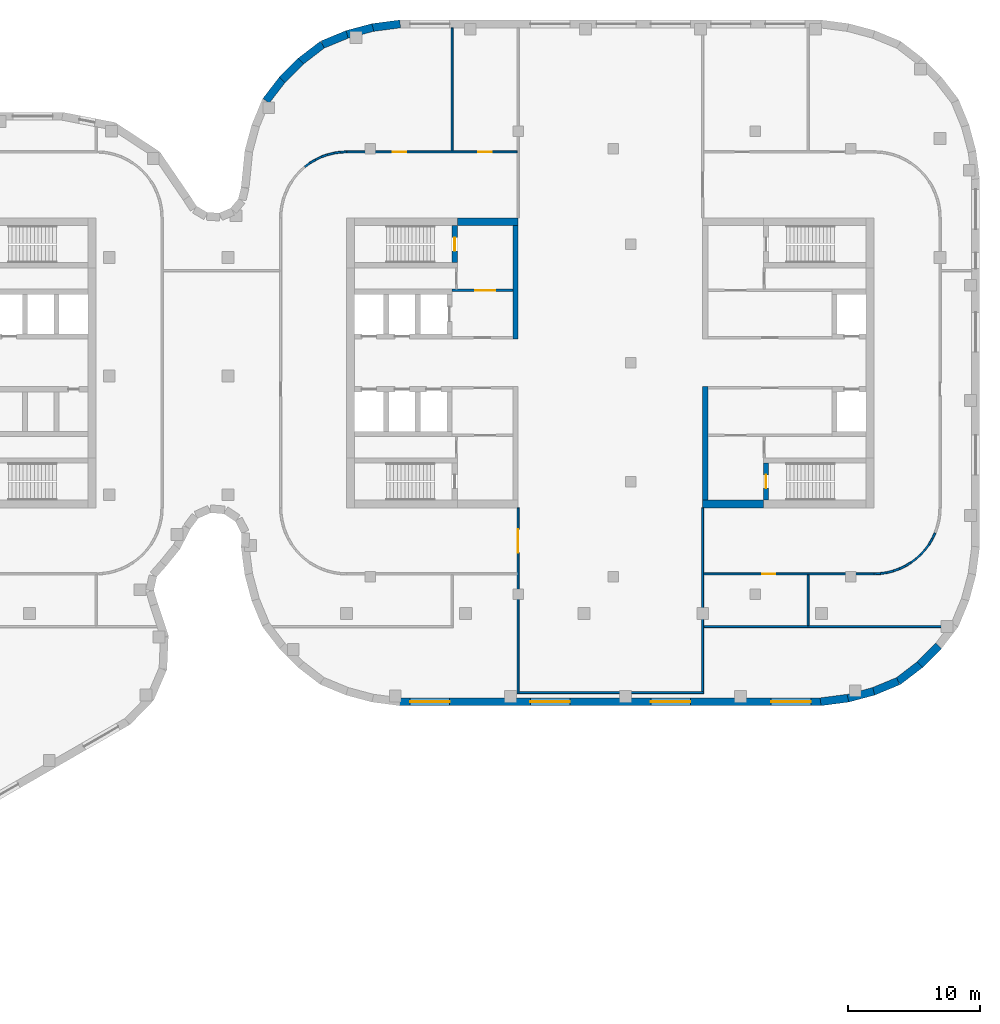
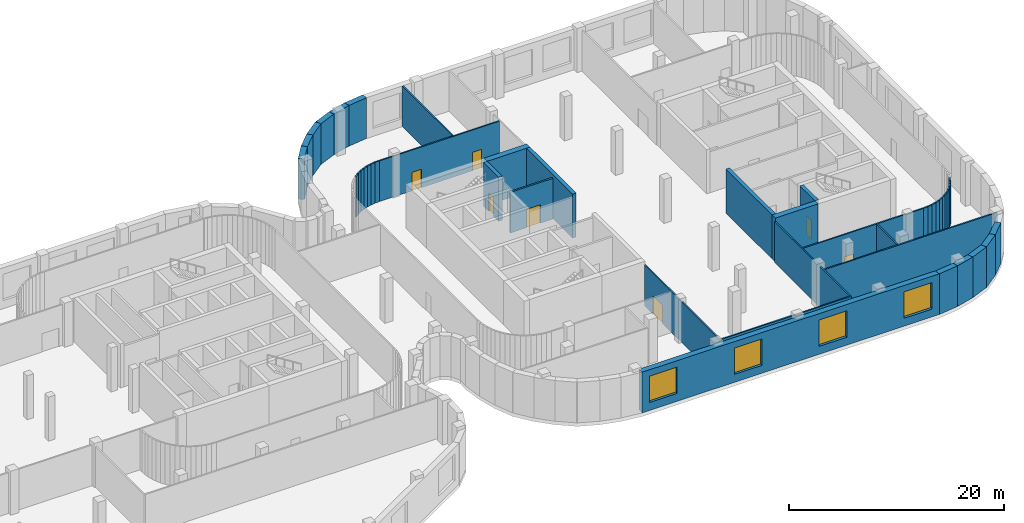
# One storey, part 13 of 18: 46 walls, 7 doors, 4 windows, 11 openings.
"""IFC4 building model written with IfcOpenShell, lengths in metres."""

from ifc_helpers import new_model, si_unit, direction, frame, frame_2d, origin, place, context, subcontext, project, spatial, rectangle, extrude, material, layer, layer_set, type_object, element, fill, save


model = new_model("IFC4")

# Units and contexts
model_context = context("Model", 3, precision=1e-05, world=origin(), true_north=direction((0.0, 1.0)))
body_context = subcontext(model_context, "Body", "Model", "MODEL_VIEW")
ifc_project = project(units=[si_unit("LENGTHUNIT", "METRE"), si_unit("AREAUNIT", "SQUARE_METRE"), si_unit("VOLUMEUNIT", "CUBIC_METRE"), si_unit("PLANEANGLEUNIT", "RADIAN"), si_unit("MASSUNIT", "GRAM", prefix="KILO")], contexts=[model_context])

# Site, building, storey
site_placement = place(None, origin())
site = spatial("IfcSite", under=ifc_project, at=site_placement, CompositionType="ELEMENT")
building_placement = place(site_placement, origin())
building = spatial("IfcBuilding", under=site, at=building_placement, Name="Skarvind Civic Tower", CompositionType="ELEMENT")
storey_placement = place(building_placement, frame((0.0, 0.0, 22.5)))
storey = spatial("IfcBuildingStorey", under=building, at=storey_placement, Name="L04", CompositionType="ELEMENT", Elevation=22.5)

# Wall, opening, door
ifc_material_1 = material(Name="Fire-rated masonry partition", Category="masonry")
ifc_layer_1 = layer(ifc_material_1, 0.199951171875)
ifc_layer_set_1 = layer_set([ifc_layer_1], Name="Core enclosure wall 200")
wall_type_1 = type_object("IfcWallType", Name="Core enclosure wall 200", PredefinedType="PARTITIONING", material=ifc_layer_set_1)
wall_1_placement = place(storey_placement, frame((135.0, 133.5, 0.0), z_axis=(0.0, 0.0, 1.0), x_axis=(1.0, 0.0, 0.0)))
wall_1 = element("IfcWall", 1, at=wall_1_placement, inside=storey, type_object=wall_type_1, Name="Core wall CA", PredefinedType="PARTITIONING", context=body_context, shape_type="SweptSolid", body=[
    extrude(rectangle(XDim=4.60009765625, YDim=0.199951171875, at=frame_2d((2.300048828125, 0.0))), origin(), (0.0, 0.0, 1.0), 4.625),
])
opening_1_placement = place(wall_1_placement, frame((1.75, 0.0, 0.0)))
opening_1 = element("IfcOpeningElement", 2, at=opening_1_placement, cuts=wall_1, Name="Opening D-L04-CA-07", PredefinedType="OPENING", context=body_context, shape_type="SweptSolid", body=[
    extrude(rectangle(XDim=1.5, YDim=2.10009765625, at=frame_2d((0.75, 1.050048828125))), frame((0.0, 0.10986328125, 0.0), z_axis=(0.0, -1.0, 0.0), x_axis=(1.0, 0.0, 0.0)), (0.0, 0.0, 1.0), 0.219970703125),
])
ifc_material_2 = material(Name="Fire-rated steel door", Category="steel")
door_type_1 = type_object("IfcDoorType", Name="Fire door 1500", OperationType="NOTDEFINED", PredefinedType="DOOR", material=ifc_material_2)
door_1_placement = place(opening_1_placement, origin())
door_1 = element("IfcDoor", 3, at=door_1_placement, inside=storey, type_object=door_type_1, Name="Fire door", OperationType="DOUBLE_DOOR_SINGLE_SWING", OverallHeight=2.10009765625, OverallWidth=1.5, PredefinedType="DOOR", context=body_context, shape_type="SweptSolid", body=[
    extrude(rectangle(XDim=1.5, YDim=2.10009765625, at=frame_2d((0.75, 1.050048828125))), frame((0.0, 0.02490234375, 0.0), z_axis=(0.0, -1.0, 0.0), x_axis=(1.0, 0.0, 0.0)), (0.0, 0.0, 1.0), 0.050048828125),
])
fill(opening_1, door_1)

ifc_material_3 = material(Name="Concrete C80", Category="concrete")
ifc_layer_2 = layer(ifc_material_3, 0.39990234375)
ifc_layer_set_2 = layer_set([ifc_layer_2], Name="Core wall 400 C80")
wall_type_2 = type_object("IfcWallType", Name="Core wall 400 C80", PredefinedType="SHEAR", material=ifc_layer_set_2)
wall_2_placement = place(storey_placement, frame((135.199951171875, 135.60009765625, 0.0), z_axis=(0.0, 0.0, 1.0), x_axis=(0.0, 1.0, 0.0)))
wall_2 = element("IfcWall", 4, at=wall_2_placement, inside=storey, type_object=wall_type_2, Name="Core wall CA north stair end L04", PredefinedType="SHEAR", context=body_context, shape_type="SweptSolid", body=[
    extrude(rectangle(XDim=2.7998046875, YDim=0.39990234375, at=frame_2d((1.39990234375, 0.0))), origin(), (0.0, 0.0, 1.0), 5.0),
])
opening_2_placement = place(wall_2_placement, frame((0.89990234375, 0.0, 0.0)))
opening_2 = element("IfcOpeningElement", 5, at=opening_2_placement, cuts=wall_2, Name="Opening D-L04-CA-08", PredefinedType="OPENING", context=body_context, shape_type="SweptSolid", body=[
    extrude(rectangle(XDim=1.0, YDim=2.10009765625, at=frame_2d((0.5, 1.050048828125))), frame((0.0, 0.2099609375, 0.0), z_axis=(0.0, -1.0, 0.0), x_axis=(1.0, 0.0, 0.0)), (0.0, 0.0, 1.0), 0.419921875),
])
door_type_2 = type_object("IfcDoorType", Name="Fire door 1000", OperationType="NOTDEFINED", PredefinedType="DOOR", material=ifc_material_2)
door_2_placement = place(opening_2_placement, origin())
door_2 = element("IfcDoor", 6, at=door_2_placement, inside=storey, type_object=door_type_2, Name="Fire door", OperationType="SINGLE_SWING_LEFT", OverallHeight=2.10009765625, OverallWidth=1.0, PredefinedType="DOOR", context=body_context, shape_type="SweptSolid", body=[
    extrude(rectangle(XDim=1.0, YDim=2.10009765625, at=frame_2d((0.5, 1.050048828125))), frame((0.0, 0.02490234375, 0.0), z_axis=(0.0, -1.0, 0.0), x_axis=(1.0, 0.0, 0.0)), (0.0, 0.0, 1.0), 0.050048828125),
])
fill(opening_2, door_2)

# Wall
wall_3_placement = place(storey_placement, frame((139.800048828125, 129.800048828125, 0.0), z_axis=(0.0, 0.0, 1.0), x_axis=(0.0, 1.0, 0.0)))
element("IfcWall", 7, at=wall_3_placement, inside=storey, type_object=wall_type_2, Name="Core wall CA north inner face L04", PredefinedType="SHEAR", context=body_context, shape_type="SweptSolid", body=[
    extrude(rectangle(XDim=8.599853515625, YDim=0.39990234375, at=frame_2d((4.2998046875, 0.0))), origin(), (0.0, 0.0, 1.0), 5.0),
])

# Wall, opening, door
wall_4_placement = place(storey_placement, frame((158.800048828125, 120.39990234375, 0.0), z_axis=(0.0, 0.0, 1.0), x_axis=(0.0, -1.0, 0.0)))
wall_4 = element("IfcWall", 8, at=wall_4_placement, inside=storey, type_object=wall_type_2, Name="Core wall CB north stair end L04", PredefinedType="SHEAR", context=body_context, shape_type="SweptSolid", body=[
    extrude(rectangle(XDim=2.7998046875, YDim=0.39990234375, at=frame_2d((1.39990234375, 0.0))), origin(), (0.0, 0.0, 1.0), 5.0),
])
opening_3_placement = place(wall_4_placement, frame((0.89990234375, 0.0, 0.0)))
opening_3 = element("IfcOpeningElement", 9, at=opening_3_placement, cuts=wall_4, Name="Opening D-L04-CB-05", PredefinedType="OPENING", context=body_context, shape_type="SweptSolid", body=[
    extrude(rectangle(XDim=1.0, YDim=2.10009765625, at=frame_2d((0.5, 1.050048828125))), frame((0.0, 0.2099609375, 0.0), z_axis=(0.0, -1.0, 0.0), x_axis=(1.0, 0.0, 0.0)), (0.0, 0.0, 1.0), 0.419921875),
])
door_3_placement = place(opening_3_placement, origin())
door_3 = element("IfcDoor", 10, at=door_3_placement, inside=storey, type_object=door_type_2, Name="Fire door", OperationType="SINGLE_SWING_LEFT", OverallHeight=2.10009765625, OverallWidth=1.0, PredefinedType="DOOR", context=body_context, shape_type="SweptSolid", body=[
    extrude(rectangle(XDim=1.0, YDim=2.10009765625, at=frame_2d((0.5, 1.050048828125))), frame((0.0, 0.02490234375, 0.0), z_axis=(0.0, -1.0, 0.0), x_axis=(1.0, 0.0, 0.0)), (0.0, 0.0, 1.0), 0.050048828125),
])
fill(opening_3, door_3)

# Walls
wall_5_placement = place(storey_placement, frame((154.199951171875, 126.199951171875, 0.0), z_axis=(0.0, 0.0, 1.0), x_axis=(0.0, -1.0, 0.0)))
element("IfcWall", 11, at=wall_5_placement, inside=storey, type_object=wall_type_2, Name="Core wall CB north inner face L04", PredefinedType="SHEAR", context=body_context, shape_type="SweptSolid", body=[
    extrude(rectangle(XDim=8.599853515625, YDim=0.39990234375, at=frame_2d((4.2998046875, 0.0))), origin(), (0.0, 0.0, 1.0), 5.0),
])
ifc_layer_3 = layer(ifc_material_3, 0.60009765625)
ifc_layer_set_3 = layer_set([ifc_layer_3], Name="Core wall 600 C80")
wall_type_3 = type_object("IfcWallType", Name="Core wall 600 C80", PredefinedType="SHEAR", material=ifc_layer_set_3)
for number, where, z_axis, x_axis, name in (
    (12, (135.39990234375, 138.699951171875, 0.0), (0.0, 0.0, 1.0), (1.0, 0.0, 0.0), "Core wall CA north side L04"),
    (13, (158.60009765625, 117.300048828125, 0.0), (0.0, 0.0, 1.0), (-1.0, 0.0, 0.0), "Core wall CB north side L04"),
):
    element("IfcWall", number, at=place(storey_placement, frame(where, z_axis=z_axis, x_axis=x_axis)), inside=storey, type_object=wall_type_3, Name=name, PredefinedType="SHEAR", context=body_context, shape_type="SweptSolid", body=[
        extrude(rectangle(XDim=4.60009765625, YDim=0.60009765625, at=frame_2d((2.300048828125, 0.0))), origin(), (0.0, 0.0, 1.0), 5.0),
    ])
ifc_material_4 = material(Name="Plasterboard partition on steel studs", Category="steel")
ifc_layer_4 = layer(ifc_material_4, 0.14990234375)
ifc_layer_set_4 = layer_set([ifc_layer_4], Name="PARTITION 150")
wall_type_4 = type_object("IfcWallType", Name="PARTITION 150", PredefinedType="PARTITIONING", material=ifc_layer_set_4)
wall_6_placement = place(storey_placement, frame((123.824951171875, 142.863037109375, 0.0), z_axis=(0.0, 0.0, 1.0), x_axis=(0.80404358372, 0.594570362092, 0.0)))
element("IfcWall", 14, at=wall_6_placement, inside=storey, type_object=wall_type_4, Name="Podium partition L04 223", PredefinedType="PARTITIONING", context=body_context, shape_type="SweptSolid", body=[
    extrude(rectangle(XDim=0.49755859375, YDim=0.14990234375, at=frame_2d((0.248779296875, 0.0))), origin(), (0.0, 0.0, 1.0), 4.625),
])
wall_7_placement = place(storey_placement, frame((124.218994140625, 143.155029296875, 0.0), z_axis=(0.0, 0.0, 1.0), x_axis=(0.85671397893, 0.515791778052, 0.0)))
element("IfcWall", 15, at=wall_7_placement, inside=storey, type_object=wall_type_4, Name="Podium partition L04 225", PredefinedType="PARTITIONING", context=body_context, shape_type="SweptSolid", body=[
    extrude(rectangle(XDim=0.49853515625, YDim=0.14990234375, at=frame_2d((0.249267578125, 0.0))), origin(), (0.0, 0.0, 1.0), 4.625),
])
for number, where, z_axis, x_axis, name in (
    (16, (124.639892578125, 143.407958984375, 0.0), (0.0, 0.0, 1.0), (0.903827641978, 0.427896709028, 0.0), "Podium partition L04 227"),
    (17, (125.083984375, 143.617919921875, 0.0), (0.0, 0.0, 1.0), (0.941442168887, 0.3371744988, 0.0), "Podium partition L04 229"),
):
    element("IfcWall", number, at=place(storey_placement, frame(where, z_axis=z_axis, x_axis=x_axis)), inside=storey, type_object=wall_type_4, Name=name, PredefinedType="PARTITIONING", context=body_context, shape_type="SweptSolid", body=[
        extrude(rectangle(XDim=0.498046875, YDim=0.14990234375, at=frame_2d((0.2490234375, 0.0))), origin(), (0.0, 0.0, 1.0), 4.625),
    ])
wall_8_placement = place(storey_placement, frame((125.544921875, 143.783935546875, 0.0), z_axis=(0.0, 0.0, 1.0), x_axis=(0.970113715952, 0.242650732785, 0.0)))
element("IfcWall", 18, at=wall_8_placement, inside=storey, type_object=wall_type_4, Name="Podium partition L04 231", PredefinedType="PARTITIONING", context=body_context, shape_type="SweptSolid", body=[
    extrude(rectangle(XDim=0.4990234375, YDim=0.14990234375, at=frame_2d((0.24951171875, 0.0))), origin(), (0.0, 0.0, 1.0), 4.625),
])
wall_9_placement = place(storey_placement, frame((126.02099609375, 143.903076171875, 0.0), z_axis=(0.0, 0.0, 1.0), x_axis=(0.988925572052, 0.148412307247, 0.0)))
element("IfcWall", 19, at=wall_9_placement, inside=storey, type_object=wall_type_4, Name="Podium partition L04 233", PredefinedType="PARTITIONING", context=body_context, shape_type="SweptSolid", body=[
    extrude(rectangle(XDim=0.49853515625, YDim=0.14990234375, at=frame_2d((0.249267578125, 0.0))), origin(), (0.0, 0.0, 1.0), 4.625),
])
wall_10_placement = place(storey_placement, frame((126.506103515625, 143.97607421875, 0.0), z_axis=(0.0, 0.0, 1.0), x_axis=(0.998837896651, 0.048196018647, 0.0)))
element("IfcWall", 20, at=wall_10_placement, inside=storey, type_object=wall_type_4, Name="Podium partition L04 235", PredefinedType="PARTITIONING", context=body_context, shape_type="SweptSolid", body=[
    extrude(rectangle(XDim=0.496337890625, YDim=0.14990234375, at=frame_2d((0.248046875, 0.0))), origin(), (0.0, 0.0, 1.0), 4.625),
])

# Wall, openings, doors
wall_11_placement = place(storey_placement, frame((126.998046875, 144.0, 0.0), z_axis=(0.0, 0.0, 1.0), x_axis=(1.0, 0.0, 0.0)))
wall_11 = element("IfcWall", 21, at=wall_11_placement, inside=storey, type_object=wall_type_4, Name="Podium partition L04 237", PredefinedType="PARTITIONING", context=body_context, shape_type="SweptSolid", body=[
    extrude(rectangle(XDim=12.927001953125, YDim=0.14990234375, at=frame_2d((6.46337890625, 0.0))), origin(), (0.0, 0.0, 1.0), 4.625),
])
opening_4_placement = place(wall_11_placement, frame((3.50390625, 0.0, 0.0)))
opening_4 = element("IfcOpeningElement", 22, at=opening_4_placement, cuts=wall_11, Name="Opening L04-D221", PredefinedType="OPENING", context=body_context, shape_type="SweptSolid", body=[
    extrude(rectangle(XDim=1.0, YDim=2.10009765625, at=frame_2d((0.5, 1.050048828125))), frame((0.0, 0.0849609375, 0.0), z_axis=(0.0, -1.0, 0.0), x_axis=(1.0, 0.0, 0.0)), (0.0, 0.0, 1.0), 0.169921875),
])
opening_5_placement = place(wall_11_placement, frame((10.0, 0.0, 0.0)))
opening_5 = element("IfcOpeningElement", 23, at=opening_5_placement, cuts=wall_11, Name="Opening L04-D222", PredefinedType="OPENING", context=body_context, shape_type="SweptSolid", body=[
    extrude(rectangle(XDim=1.0, YDim=2.10009765625, at=frame_2d((0.5, 1.050048828125))), frame((0.0, 0.0849609375, 0.0), z_axis=(0.0, -1.0, 0.0), x_axis=(1.0, 0.0, 0.0)), (0.0, 0.0, 1.0), 0.169921875),
])
ifc_material_5 = material(Name="Timber veneer door leaf", Category="wood")
door_type_3 = type_object("IfcDoorType", Name="DOOR 1000X2100 TIMBER", OperationType="NOTDEFINED", PredefinedType="DOOR", material=ifc_material_5)
door_4_placement = place(opening_4_placement, origin())
door_4 = element("IfcDoor", 24, at=door_4_placement, inside=storey, type_object=door_type_3, Name="DOOR DOOR", OperationType="SINGLE_SWING_LEFT", OverallHeight=2.10009765625, OverallWidth=1.0, PredefinedType="DOOR", context=body_context, shape_type="SweptSolid", body=[
    extrude(rectangle(XDim=1.0, YDim=2.10009765625, at=frame_2d((0.5, 1.050048828125))), frame((0.0, 0.02490234375, 0.0), z_axis=(0.0, -1.0, 0.0), x_axis=(1.0, 0.0, 0.0)), (0.0, 0.0, 1.0), 0.050048828125),
])
fill(opening_4, door_4)
door_5_placement = place(opening_5_placement, origin())
door_5 = element("IfcDoor", 25, at=door_5_placement, inside=storey, type_object=door_type_3, Name="DOOR DOOR", OperationType="SINGLE_SWING_RIGHT", OverallHeight=2.10009765625, OverallWidth=1.0, PredefinedType="DOOR", context=body_context, shape_type="SweptSolid", body=[
    extrude(rectangle(XDim=1.0, YDim=2.10009765625, at=frame_2d((0.5, 1.050048828125))), frame((0.0, 0.02490234375, 0.0), z_axis=(0.0, -1.0, 0.0), x_axis=(1.0, 0.0, 0.0)), (0.0, 0.0, 1.0), 0.050048828125),
])
fill(opening_5, door_5)

# Wall
wall_12_placement = place(storey_placement, frame((135.0, 144.074951171875, 0.0), z_axis=(0.0, 0.0, 1.0), x_axis=(0.0, 1.0, 0.0)))
element("IfcWall", 26, at=wall_12_placement, inside=storey, type_object=wall_type_4, Name="Podium partition L04 239", PredefinedType="PARTITIONING", context=body_context, shape_type="SweptSolid", body=[
    extrude(rectangle(XDim=9.324951171875, YDim=0.14990234375, at=frame_2d((4.66259765625, 0.0))), origin(), (0.0, 0.0, 1.0), 4.625),
])

# Wall, opening, door
wall_13_placement = place(storey_placement, frame((140.0, 102.925048828125, 0.0), z_axis=(0.0, 0.0, 1.0), x_axis=(0.0, 1.0, 0.0)))
wall_13 = element("IfcWall", 27, at=wall_13_placement, inside=storey, type_object=wall_type_4, Name="Podium partition L04 240", PredefinedType="PARTITIONING", context=body_context, shape_type="SweptSolid", body=[
    extrude(rectangle(XDim=14.074951171875, YDim=0.14990234375, at=frame_2d((7.03759765625, 0.0))), origin(), (0.0, 0.0, 1.0), 4.625),
])
opening_6_placement = place(wall_13_placement, frame((10.675048828125, 0.0, 0.0)))
opening_6 = element("IfcOpeningElement", 28, at=opening_6_placement, cuts=wall_13, Name="Opening L04-D223", PredefinedType="OPENING", context=body_context, shape_type="SweptSolid", body=[
    extrude(rectangle(XDim=1.800048828125, YDim=2.10009765625, at=frame_2d((0.89990234375, 1.050048828125))), frame((0.0, 0.0849609375, 0.0), z_axis=(0.0, -1.0, 0.0), x_axis=(1.0, 0.0, 0.0)), (0.0, 0.0, 1.0), 0.169921875),
])
door_type_4 = type_object("IfcDoorType", Name="DOOR 1800X2100 DOUBLE TIMBER", OperationType="NOTDEFINED", PredefinedType="DOOR", material=ifc_material_5)
door_6_placement = place(opening_6_placement, origin())
door_6 = element("IfcDoor", 29, at=door_6_placement, inside=storey, type_object=door_type_4, Name="DOOR DOOR", OperationType="DOUBLE_DOOR_SINGLE_SWING", OverallHeight=2.10009765625, OverallWidth=1.800048828125, PredefinedType="DOOR", context=body_context, shape_type="SweptSolid", body=[
    extrude(rectangle(XDim=1.800048828125, YDim=2.10009765625, at=frame_2d((0.89990234375, 1.050048828125))), frame((0.0, 0.02490234375, 0.0), z_axis=(0.0, -1.0, 0.0), x_axis=(1.0, 0.0, 0.0)), (0.0, 0.0, 1.0), 0.050048828125),
])
fill(opening_6, door_6)

# Walls
wall_14_placement = place(storey_placement, frame((140.074951171875, 103.0, 0.0), z_axis=(0.0, 0.0, 1.0), x_axis=(1.0, 0.0, 0.0)))
element("IfcWall", 30, at=wall_14_placement, inside=storey, type_object=wall_type_4, Name="Podium partition L04 241", PredefinedType="PARTITIONING", context=body_context, shape_type="SweptSolid", body=[
    extrude(rectangle(XDim=14.0, YDim=0.14990234375, at=frame_2d((7.0, 0.0))), origin(), (0.0, 0.0, 1.0), 4.625),
])
wall_15_placement = place(storey_placement, frame((154.0, 103.074951171875, 0.0), z_axis=(0.0, 0.0, 1.0), x_axis=(0.0, 1.0, 0.0)))
element("IfcWall", 31, at=wall_15_placement, inside=storey, type_object=wall_type_4, Name="Podium partition L04 243", PredefinedType="PARTITIONING", context=body_context, shape_type="SweptSolid", body=[
    extrude(rectangle(XDim=13.925048828125, YDim=0.14990234375, at=frame_2d((6.96240234375, 0.0))), origin(), (0.0, 0.0, 1.0), 4.625),
])
wall_16_placement = place(storey_placement, frame((154.074951171875, 108.0, 0.0), z_axis=(0.0, 0.0, 1.0), x_axis=(1.0, 0.0, 0.0)))
element("IfcWall", 32, at=wall_16_placement, inside=storey, type_object=wall_type_4, Name="Podium partition L04 244", PredefinedType="PARTITIONING", context=body_context, shape_type="SweptSolid", body=[
    extrude(rectangle(XDim=18.55712890625, YDim=0.14990234375, at=frame_2d((9.278564453125, 0.0))), origin(), (0.0, 0.0, 1.0), 4.625),
])

# Wall, opening, door
wall_17_placement = place(storey_placement, frame((167.001953125, 112.0, 0.0), z_axis=(0.0, 0.0, 1.0), x_axis=(-1.0, 0.0, 0.0)))
wall_17 = element("IfcWall", 33, at=wall_17_placement, inside=storey, type_object=wall_type_4, Name="Podium partition L04 245", PredefinedType="PARTITIONING", context=body_context, shape_type="SweptSolid", body=[
    extrude(rectangle(XDim=12.927001953125, YDim=0.14990234375, at=frame_2d((6.46337890625, 0.0))), origin(), (0.0, 0.0, 1.0), 4.625),
])
opening_7_placement = place(wall_17_placement, frame((7.5, 0.0, 0.0)))
opening_7 = element("IfcOpeningElement", 34, at=opening_7_placement, cuts=wall_17, Name="Opening L04-D226", PredefinedType="OPENING", context=body_context, shape_type="SweptSolid", body=[
    extrude(rectangle(XDim=1.0, YDim=2.10009765625, at=frame_2d((0.5, 1.050048828125))), frame((0.0, 0.0849609375, 0.0), z_axis=(0.0, -1.0, 0.0), x_axis=(1.0, 0.0, 0.0)), (0.0, 0.0, 1.0), 0.169921875),
])
door_7_placement = place(opening_7_placement, origin())
door_7 = element("IfcDoor", 35, at=door_7_placement, inside=storey, type_object=door_type_3, Name="DOOR DOOR", OperationType="SINGLE_SWING_LEFT", OverallHeight=2.10009765625, OverallWidth=1.0, PredefinedType="DOOR", context=body_context, shape_type="SweptSolid", body=[
    extrude(rectangle(XDim=1.0, YDim=2.10009765625, at=frame_2d((0.5, 1.050048828125))), frame((0.0, 0.02490234375, 0.0), z_axis=(0.0, -1.0, 0.0), x_axis=(1.0, 0.0, 0.0)), (0.0, 0.0, 1.0), 0.050048828125),
])
fill(opening_7, door_7)

# Walls
wall_18_placement = place(storey_placement, frame((162.0, 108.074951171875, 0.0), z_axis=(0.0, 0.0, 1.0), x_axis=(0.0, 1.0, 0.0)))
element("IfcWall", 36, at=wall_18_placement, inside=storey, type_object=wall_type_4, Name="Podium partition L04 248", PredefinedType="PARTITIONING", context=body_context, shape_type="SweptSolid", body=[
    extrude(rectangle(XDim=3.85009765625, YDim=0.14990234375, at=frame_2d((1.925048828125, 0.0))), origin(), (0.0, 0.0, 1.0), 4.625),
])
wall_19_placement = place(storey_placement, frame((166.998046875, 112.0, 0.0), z_axis=(0.0, 0.0, 1.0), x_axis=(0.998837896651, 0.048196018647, 0.0)))
element("IfcWall", 37, at=wall_19_placement, inside=storey, type_object=wall_type_4, Name="Podium partition L04 250", PredefinedType="PARTITIONING", context=body_context, shape_type="SweptSolid", body=[
    extrude(rectangle(XDim=0.496337890625, YDim=0.14990234375, at=frame_2d((0.248046875, 0.0))), origin(), (0.0, 0.0, 1.0), 4.625),
])
wall_20_placement = place(storey_placement, frame((167.486083984375, 112.02294921875, 0.0), z_axis=(0.0, 0.0, 1.0), x_axis=(0.988925572052, 0.148412307247, 0.0)))
element("IfcWall", 38, at=wall_20_placement, inside=storey, type_object=wall_type_4, Name="Podium partition L04 252", PredefinedType="PARTITIONING", context=body_context, shape_type="SweptSolid", body=[
    extrude(rectangle(XDim=0.49853515625, YDim=0.14990234375, at=frame_2d((0.249267578125, 0.0))), origin(), (0.0, 0.0, 1.0), 4.625),
])
wall_21_placement = place(storey_placement, frame((167.970947265625, 112.094970703125, 0.0), z_axis=(0.0, 0.0, 1.0), x_axis=(0.970113715952, 0.242650732785, 0.0)))
element("IfcWall", 39, at=wall_21_placement, inside=storey, type_object=wall_type_4, Name="Podium partition L04 254", PredefinedType="PARTITIONING", context=body_context, shape_type="SweptSolid", body=[
    extrude(rectangle(XDim=0.4990234375, YDim=0.14990234375, at=frame_2d((0.24951171875, 0.0))), origin(), (0.0, 0.0, 1.0), 4.625),
])
for number, where, z_axis, x_axis, name in (
    (40, (168.447021484375, 112.214111328125, 0.0), (0.0, 0.0, 1.0), (0.941442168887, 0.3371744988, 0.0), "Podium partition L04 256"),
    (41, (168.909912109375, 112.37890625, 0.0), (0.0, 0.0, 1.0), (0.903827641978, 0.427896709028, 0.0), "Podium partition L04 258"),
):
    element("IfcWall", number, at=place(storey_placement, frame(where, z_axis=z_axis, x_axis=x_axis)), inside=storey, type_object=wall_type_4, Name=name, PredefinedType="PARTITIONING", context=body_context, shape_type="SweptSolid", body=[
        extrude(rectangle(XDim=0.498046875, YDim=0.14990234375, at=frame_2d((0.2490234375, 0.0))), origin(), (0.0, 0.0, 1.0), 4.625),
    ])
wall_22_placement = place(storey_placement, frame((169.35400390625, 112.587890625, 0.0), z_axis=(0.0, 0.0, 1.0), x_axis=(0.85671397893, 0.515791778052, 0.0)))
element("IfcWall", 42, at=wall_22_placement, inside=storey, type_object=wall_type_4, Name="Podium partition L04 260", PredefinedType="PARTITIONING", context=body_context, shape_type="SweptSolid", body=[
    extrude(rectangle(XDim=0.49853515625, YDim=0.14990234375, at=frame_2d((0.249267578125, 0.0))), origin(), (0.0, 0.0, 1.0), 4.625),
])
wall_23_placement = place(storey_placement, frame((169.77490234375, 112.841064453125, 0.0), z_axis=(0.0, 0.0, 1.0), x_axis=(0.80404358372, 0.594570362092, 0.0)))
element("IfcWall", 43, at=wall_23_placement, inside=storey, type_object=wall_type_4, Name="Podium partition L04 262", PredefinedType="PARTITIONING", context=body_context, shape_type="SweptSolid", body=[
    extrude(rectangle(XDim=0.49755859375, YDim=0.14990234375, at=frame_2d((0.248779296875, 0.0))), origin(), (0.0, 0.0, 1.0), 4.625),
])
for number, where, z_axis, x_axis, name in (
    (44, (170.1689453125, 113.133056640625, 0.0), (0.0, 0.0, 1.0), (0.742416880587, 0.66993818776, 0.0), "Podium partition L04 264"),
    (45, (170.532958984375, 113.4609375, 0.0), (0.0, 0.0, 1.0), (0.66993818776, 0.742416880587, 0.0), "Podium partition L04 266"),
):
    element("IfcWall", number, at=place(storey_placement, frame(where, z_axis=z_axis, x_axis=x_axis)), inside=storey, type_object=wall_type_4, Name=name, PredefinedType="PARTITIONING", context=body_context, shape_type="SweptSolid", body=[
        extrude(rectangle(XDim=0.49853515625, YDim=0.14990234375, at=frame_2d((0.249267578125, 0.0))), origin(), (0.0, 0.0, 1.0), 4.625),
    ])
wall_24_placement = place(storey_placement, frame((170.863037109375, 113.824951171875, 0.0), z_axis=(0.0, 0.0, 1.0), x_axis=(0.594570362092, 0.80404358372, 0.0)))
element("IfcWall", 46, at=wall_24_placement, inside=storey, type_object=wall_type_4, Name="Podium partition L04 268", PredefinedType="PARTITIONING", context=body_context, shape_type="SweptSolid", body=[
    extrude(rectangle(XDim=0.49755859375, YDim=0.14990234375, at=frame_2d((0.248779296875, 0.0))), origin(), (0.0, 0.0, 1.0), 4.625),
])
wall_25_placement = place(storey_placement, frame((171.155029296875, 114.218994140625, 0.0), z_axis=(0.0, 0.0, 1.0), x_axis=(0.515791778052, 0.85671397893, 0.0)))
element("IfcWall", 47, at=wall_25_placement, inside=storey, type_object=wall_type_4, Name="Podium partition L04 270", PredefinedType="PARTITIONING", context=body_context, shape_type="SweptSolid", body=[
    extrude(rectangle(XDim=0.49853515625, YDim=0.14990234375, at=frame_2d((0.249267578125, 0.0))), origin(), (0.0, 0.0, 1.0), 4.625),
])
wall_26_placement = place(storey_placement, frame((171.407958984375, 114.639892578125, 0.0), z_axis=(0.0, 0.0, 1.0), x_axis=(0.427896709028, 0.903827641978, 0.0)))
element("IfcWall", 48, at=wall_26_placement, inside=storey, type_object=wall_type_4, Name="Podium partition L04 272", PredefinedType="PARTITIONING", context=body_context, shape_type="SweptSolid", body=[
    extrude(rectangle(XDim=0.498046875, YDim=0.14990234375, at=frame_2d((0.2490234375, 0.0))), origin(), (0.0, 0.0, 1.0), 4.625),
])

# Wall, openings, windows
ifc_material_6 = material(Name="Limestone masonry cladding on insulated backing", Category="masonry")
ifc_layer_5 = layer(ifc_material_6, 0.60009765625)
ifc_layer_set_5 = layer_set([ifc_layer_5], Name="WX1 STONE FACADE WALL 600")
wall_type_5 = type_object("IfcWallType", Name="WX1 STONE FACADE WALL 600", PredefinedType="SOLIDWALL", material=ifc_layer_set_5)
wall_27_placement = place(storey_placement, frame((162.978271484375, 102.300048828125, 0.0), z_axis=(0.0, 0.0, 1.0), x_axis=(-1.0, 0.0, 0.0)))
wall_27 = element("IfcWall", 49, at=wall_27_placement, inside=storey, type_object=wall_type_5, Name="STONE FACADE WALL", PredefinedType="SOLIDWALL", context=body_context, shape_type="SweptSolid", body=[
    extrude(rectangle(XDim=31.95654296875, YDim=0.60009765625, at=frame_2d((15.978271484375, 0.0))), origin(), (0.0, 0.0, 1.0), 4.625),
])
opening_8_placement = place(wall_27_placement, frame((0.78271484375, 0.0, 0.89990234375)))
opening_8 = element("IfcOpeningElement", 50, at=opening_8_placement, cuts=wall_27, Name="Opening WN2", PredefinedType="OPENING", context=body_context, shape_type="SweptSolid", body=[
    extrude(rectangle(XDim=3.0, YDim=3.0, at=frame_2d((1.5, 1.5))), frame((0.0, 0.31005859375, 0.0), z_axis=(0.0, -1.0, 0.0), x_axis=(1.0, 0.0, 0.0)), (0.0, 0.0, 1.0), 0.6201171875),
])
opening_9_placement = place(wall_27_placement, frame((9.9130859375, 0.0, 0.89990234375)))
opening_9 = element("IfcOpeningElement", 51, at=opening_9_placement, cuts=wall_27, Name="Opening WN2", PredefinedType="OPENING", context=body_context, shape_type="SweptSolid", body=[
    extrude(rectangle(XDim=3.0, YDim=3.0, at=frame_2d((1.5, 1.5))), frame((0.0, 0.31005859375, 0.0), z_axis=(0.0, -1.0, 0.0), x_axis=(1.0, 0.0, 0.0)), (0.0, 0.0, 1.0), 0.6201171875),
])
opening_10_placement = place(wall_27_placement, frame((19.04345703125, 0.0, 0.89990234375)))
opening_10 = element("IfcOpeningElement", 52, at=opening_10_placement, cuts=wall_27, Name="Opening WN2", PredefinedType="OPENING", context=body_context, shape_type="SweptSolid", body=[
    extrude(rectangle(XDim=3.0, YDim=3.0, at=frame_2d((1.5, 1.5))), frame((0.0, 0.31005859375, 0.0), z_axis=(0.0, -1.0, 0.0), x_axis=(1.0, 0.0, 0.0)), (0.0, 0.0, 1.0), 0.6201171875),
])
opening_11_placement = place(wall_27_placement, frame((28.173828125, 0.0, 0.89990234375)))
opening_11 = element("IfcOpeningElement", 53, at=opening_11_placement, cuts=wall_27, Name="Opening WN2", PredefinedType="OPENING", context=body_context, shape_type="SweptSolid", body=[
    extrude(rectangle(XDim=3.0, YDim=3.0, at=frame_2d((1.5, 1.5))), frame((0.0, 0.31005859375, 0.0), z_axis=(0.0, -1.0, 0.0), x_axis=(1.0, 0.0, 0.0)), (0.0, 0.0, 1.0), 0.6201171875),
])
ifc_material_7 = material(Name="Timber frame, double glazing, timber-lined reveal", Category="wood")
window_type = type_object("IfcWindowType", Name="WN2 PODIUM STONE WINDOW 3000 x 3000", PartitioningType="SINGLE_PANEL", PredefinedType="WINDOW", material=ifc_material_7)
window_1_placement = place(opening_8_placement, origin())
window_1 = element("IfcWindow", 54, at=window_1_placement, inside=storey, type_object=window_type, Name="WN2 WINDOW", OverallHeight=3.0, OverallWidth=3.0, PartitioningType="SINGLE_PANEL", PredefinedType="WINDOW", context=body_context, shape_type="SweptSolid", body=[
    extrude(rectangle(XDim=3.0, YDim=3.0, at=frame_2d((1.5, 1.5))), frame((0.0, 0.030029296875, 0.0), z_axis=(0.0, -1.0, 0.0), x_axis=(1.0, 0.0, 0.0)), (0.0, 0.0, 1.0), 0.06005859375),
])
fill(opening_8, window_1)
window_2_placement = place(opening_9_placement, origin())
window_2 = element("IfcWindow", 55, at=window_2_placement, inside=storey, type_object=window_type, Name="WN2 WINDOW", OverallHeight=3.0, OverallWidth=3.0, PartitioningType="SINGLE_PANEL", PredefinedType="WINDOW", context=body_context, shape_type="SweptSolid", body=[
    extrude(rectangle(XDim=3.0, YDim=3.0, at=frame_2d((1.5, 1.5))), frame((0.0, 0.030029296875, 0.0), z_axis=(0.0, -1.0, 0.0), x_axis=(1.0, 0.0, 0.0)), (0.0, 0.0, 1.0), 0.06005859375),
])
fill(opening_9, window_2)
window_3_placement = place(opening_10_placement, origin())
window_3 = element("IfcWindow", 56, at=window_3_placement, inside=storey, type_object=window_type, Name="WN2 WINDOW", OverallHeight=3.0, OverallWidth=3.0, PartitioningType="SINGLE_PANEL", PredefinedType="WINDOW", context=body_context, shape_type="SweptSolid", body=[
    extrude(rectangle(XDim=3.0, YDim=3.0, at=frame_2d((1.5, 1.5))), frame((0.0, 0.030029296875, 0.0), z_axis=(0.0, -1.0, 0.0), x_axis=(1.0, 0.0, 0.0)), (0.0, 0.0, 1.0), 0.06005859375),
])
fill(opening_10, window_3)
window_4_placement = place(opening_11_placement, origin())
window_4 = element("IfcWindow", 57, at=window_4_placement, inside=storey, type_object=window_type, Name="WN2 WINDOW", OverallHeight=3.0, OverallWidth=3.0, PartitioningType="SINGLE_PANEL", PredefinedType="WINDOW", context=body_context, shape_type="SweptSolid", body=[
    extrude(rectangle(XDim=3.0, YDim=3.0, at=frame_2d((1.5, 1.5))), frame((0.0, 0.030029296875, 0.0), z_axis=(0.0, -1.0, 0.0), x_axis=(1.0, 0.0, 0.0)), (0.0, 0.0, 1.0), 0.06005859375),
])
fill(opening_11, window_4)

# Walls
wall_28_placement = place(storey_placement, frame((165.052490234375, 102.57568359375, 0.0), z_axis=(0.0, 0.0, 1.0), x_axis=(-0.991440646942, -0.130558200013, 0.0)))
element("IfcWall", 58, at=wall_28_placement, inside=storey, type_object=wall_type_5, Name="STONE FACADE WALL", PredefinedType="SOLIDWALL", context=body_context, shape_type="SweptSolid", body=[
    extrude(rectangle(XDim=2.1318359375, YDim=0.60009765625, at=frame_2d((1.06591796875, 0.0))), origin(), (0.0, 0.0, 1.0), 4.625),
])
wall_29_placement = place(storey_placement, frame((166.967529296875, 103.091552734375, 0.0), z_axis=(0.0, 0.0, 1.0), x_axis=(-0.965929732323, -0.258804467146, 0.0)))
element("IfcWall", 59, at=wall_29_placement, inside=storey, type_object=wall_type_5, Name="STONE FACADE WALL", PredefinedType="SOLIDWALL", context=body_context, shape_type="SweptSolid", body=[
    extrude(rectangle(XDim=2.0224609375, YDim=0.60009765625, at=frame_2d((1.01123046875, 0.0))), origin(), (0.0, 0.0, 1.0), 4.625),
])
wall_30_placement = place(storey_placement, frame((168.8193359375, 103.8603515625, 0.0), z_axis=(0.0, 0.0, 1.0), x_axis=(-0.924021197839, -0.382341242798, 0.0)))
element("IfcWall", 60, at=wall_30_placement, inside=storey, type_object=wall_type_5, Name="STONE FACADE WALL", PredefinedType="SOLIDWALL", context=body_context, shape_type="SweptSolid", body=[
    extrude(rectangle(XDim=2.0439453125, YDim=0.60009765625, at=frame_2d((1.02197265625, 0.0))), origin(), (0.0, 0.0, 1.0), 4.625),
])
wall_31_placement = place(storey_placement, frame((170.49267578125, 105.135498046875, 0.0), z_axis=(0.0, 0.0, 1.0), x_axis=(-0.79313029079, -0.609052002567, 0.0)))
element("IfcWall", 61, at=wall_31_placement, inside=storey, type_object=wall_type_5, Name="STONE FACADE WALL", PredefinedType="SOLIDWALL", context=body_context, shape_type="SweptSolid", body=[
    extrude(rectangle(XDim=2.114013671875, YDim=0.60009765625, at=frame_2d((1.05712890625, 0.0))), origin(), (0.0, 0.0, 1.0), 4.625),
])
wall_32_placement = place(storey_placement, frame((171.890380859375, 106.536865234375, 0.0), z_axis=(0.0, 0.0, 1.0), x_axis=(-0.707106781187, -0.707106781187, 0.0)))
element("IfcWall", 62, at=wall_32_placement, inside=storey, type_object=wall_type_5, Name="STONE FACADE WALL", PredefinedType="SOLIDWALL", context=body_context, shape_type="SweptSolid", body=[
    extrude(rectangle(XDim=2.018310546875, YDim=0.60009765625, at=frame_2d((1.00927734375, 0.0))), origin(), (0.0, 0.0, 1.0), 4.625),
])
wall_33_placement = place(storey_placement, frame((128.947509765625, 153.42431640625, 0.0), z_axis=(0.0, 0.0, 1.0), x_axis=(0.991440646942, 0.130558200013, 0.0)))
element("IfcWall", 63, at=wall_33_placement, inside=storey, type_object=wall_type_5, Name="STONE FACADE WALL", PredefinedType="SOLIDWALL", context=body_context, shape_type="SweptSolid", body=[
    extrude(rectangle(XDim=2.1318359375, YDim=0.60009765625, at=frame_2d((1.06591796875, 0.0))), origin(), (0.0, 0.0, 1.0), 4.625),
])
wall_34_placement = place(storey_placement, frame((127.032470703125, 152.908447265625, 0.0), z_axis=(0.0, 0.0, 1.0), x_axis=(0.965929732323, 0.258804467146, 0.0)))
element("IfcWall", 64, at=wall_34_placement, inside=storey, type_object=wall_type_5, Name="STONE FACADE WALL", PredefinedType="SOLIDWALL", context=body_context, shape_type="SweptSolid", body=[
    extrude(rectangle(XDim=2.0224609375, YDim=0.60009765625, at=frame_2d((1.01123046875, 0.0))), origin(), (0.0, 0.0, 1.0), 4.625),
])
wall_35_placement = place(storey_placement, frame((125.1806640625, 152.1396484375, 0.0), z_axis=(0.0, 0.0, 1.0), x_axis=(0.924021197839, 0.382341242798, 0.0)))
element("IfcWall", 65, at=wall_35_placement, inside=storey, type_object=wall_type_5, Name="STONE FACADE WALL", PredefinedType="SOLIDWALL", context=body_context, shape_type="SweptSolid", body=[
    extrude(rectangle(XDim=2.0439453125, YDim=0.60009765625, at=frame_2d((1.02197265625, 0.0))), origin(), (0.0, 0.0, 1.0), 4.625),
])
wall_36_placement = place(storey_placement, frame((123.50732421875, 150.864501953125, 0.0), z_axis=(0.0, 0.0, 1.0), x_axis=(0.79313029079, 0.609052002567, 0.0)))
element("IfcWall", 66, at=wall_36_placement, inside=storey, type_object=wall_type_5, Name="STONE FACADE WALL", PredefinedType="SOLIDWALL", context=body_context, shape_type="SweptSolid", body=[
    extrude(rectangle(XDim=2.114013671875, YDim=0.60009765625, at=frame_2d((1.05712890625, 0.0))), origin(), (0.0, 0.0, 1.0), 4.625),
])
wall_37_placement = place(storey_placement, frame((122.109619140625, 149.463134765625, 0.0), z_axis=(0.0, 0.0, 1.0), x_axis=(0.707106781187, 0.707106781187, 0.0)))
element("IfcWall", 67, at=wall_37_placement, inside=storey, type_object=wall_type_5, Name="STONE FACADE WALL", PredefinedType="SOLIDWALL", context=body_context, shape_type="SweptSolid", body=[
    extrude(rectangle(XDim=2.018310546875, YDim=0.60009765625, at=frame_2d((1.00927734375, 0.0))), origin(), (0.0, 0.0, 1.0), 4.625),
])
wall_38_placement = place(storey_placement, frame((120.890625, 147.87158203125, 0.0), z_axis=(0.0, 0.0, 1.0), x_axis=(0.609058260448, 0.793125485267, 0.0)))
element("IfcWall", 68, at=wall_38_placement, inside=storey, type_object=wall_type_5, Name="STONE FACADE WALL", PredefinedType="SOLIDWALL", context=body_context, shape_type="SweptSolid", body=[
    extrude(rectangle(XDim=2.0439453125, YDim=0.60009765625, at=frame_2d((1.02197265625, 0.0))), origin(), (0.0, 0.0, 1.0), 4.625),
])

save(model, "model.ifc")
